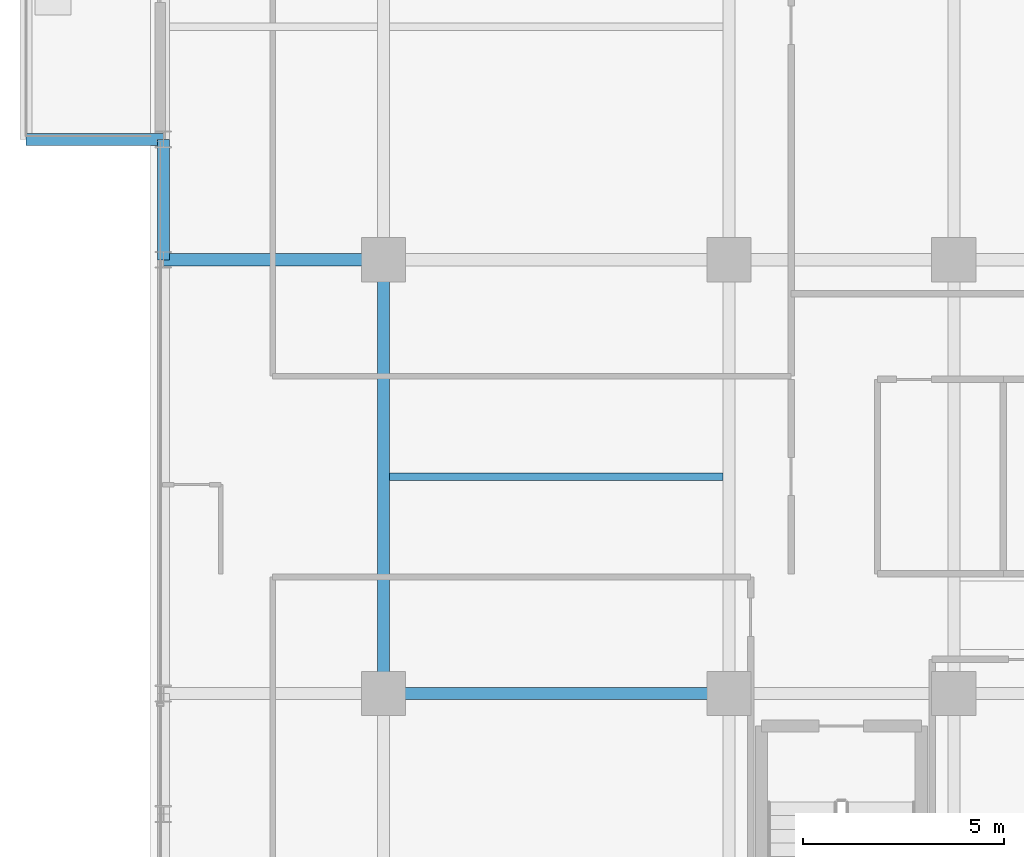
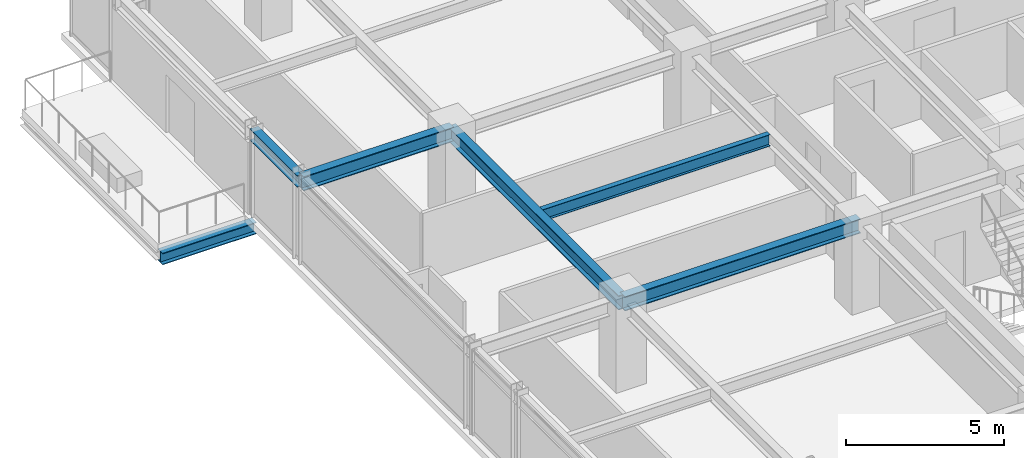
# One storey, part 7 of 32: 6 beams.
"""IFC4 building model written with IfcOpenShell, lengths in metres."""

from ifc_helpers import new_model, si_unit, direction, frame, origin, origin_2d, place, context, subcontext, project, spatial, i_section, extrude, source, transform, mapped, material, material_profile, profile_set, type_object, element, save


model = new_model("IFC4")

# Units and contexts
model_context = context("Model", 3, precision=1e-05, world=origin(), true_north=direction((0.0, 1.0)))
body_context = subcontext(model_context, "Body", "Model", "MODEL_VIEW")
ifc_project = project(units=[si_unit("LENGTHUNIT", "METRE"), si_unit("AREAUNIT", "SQUARE_METRE"), si_unit("VOLUMEUNIT", "CUBIC_METRE"), si_unit("PLANEANGLEUNIT", "RADIAN"), si_unit("MASSUNIT", "GRAM", prefix="KILO")], contexts=[model_context])

# Site, building, storey
site_placement = place(None, origin())
site = spatial("IfcSite", under=ifc_project, at=site_placement, CompositionType="ELEMENT")
building_placement = place(site_placement, origin())
building = spatial("IfcBuilding", under=site, at=building_placement, Name="Nahalor Promenade Grand Hotel", CompositionType="ELEMENT")
storey_placement = place(building_placement, frame((0.0, 0.0, 196.449951171875)))
storey = spatial("IfcBuildingStorey", under=building, at=storey_placement, Name="L50", CompositionType="ELEMENT", Elevation=196.449951171875)

# Beams
ifc_material = material(Name="Steel S355JR", Category="steel")
ifc_material_profile_1 = material_profile(ifc_material, i_section(OverallWidth=0.3, OverallDepth=0.45, WebThickness=0.014, FlangeThickness=0.026, at=origin_2d()), Name="HEB 450")
ifc_profile_set_1 = profile_set([ifc_material_profile_1], Name="Steel S355JR")
beam_type_1 = type_object("IfcBeamType", Name="Beam-Outrigger-HEB450", PredefinedType="BEAM", material=ifc_profile_set_1)
shared_shape_1 = source(origin(), body_context, "Body", "SweptSolid", [
    extrude(i_section(OverallWidth=0.3, OverallDepth=0.45, WebThickness=0.014, FlangeThickness=0.026, at=origin_2d()), origin(), (0.0, 0.0, 1.0), 3.419921875),
])
beam_1_placement = place(storey_placement, frame((-25.89990234375, 8.39990234375, -0.5048828125), z_axis=(1.0, 0.0, 0.0), x_axis=(0.0, 1.0, 0.0)))
element("IfcBeam", 1, at=beam_1_placement, inside=storey, type_object=beam_type_1, Name="BM-L50-BC-02-1", PredefinedType="BEAM", context=body_context, shape_type="MappedRepresentation", body=[
    mapped(shared_shape_1, transform((0.0, 0.0, 0.0), scale=1.0)),
])
ifc_material_profile_2 = material_profile(ifc_material, i_section(OverallWidth=0.3, OverallDepth=0.55, WebThickness=0.015, FlangeThickness=0.029, at=origin_2d()), Name="HEB 550")
ifc_profile_set_2 = profile_set([ifc_material_profile_2], Name="Steel S355JR")
beam_type_2 = type_object("IfcBeamType", Name="Beam-Girder-HEB550", PredefinedType="BEAM", material=ifc_profile_set_2)
shared_shape_2 = source(origin(), body_context, "Body", "SweptSolid", [
    extrude(i_section(OverallWidth=0.3, OverallDepth=0.55, WebThickness=0.015, FlangeThickness=0.029, at=origin_2d()), origin(), (0.0, 0.0, 1.0), 8.60009765625),
])
beam_2_placement = place(storey_placement, frame((-17.0, -5.39990234375, 3.01513671875), z_axis=(1.0, 0.0, 0.0), x_axis=(0.0, 1.0, 0.0)))
element("IfcBeam", 2, at=beam_2_placement, inside=storey, type_object=beam_type_2, Name="BM-L50-GX-1-1", PredefinedType="BEAM", context=body_context, shape_type="MappedRepresentation", body=[
    mapped(shared_shape_2, transform((0.0, 0.0, 0.0), scale=1.0)),
])
shared_shape_3 = source(origin(), body_context, "Body", "SweptSolid", [
    extrude(i_section(OverallWidth=0.3, OverallDepth=0.55, WebThickness=0.015, FlangeThickness=0.029, at=origin_2d()), origin(), (0.0, 0.0, 1.0), 10.7998046875),
])
beam_3_placement = place(storey_placement, frame((-17.0, -5.39990234375, 3.01513671875), z_axis=(0.0, 1.0, 0.0), x_axis=(-1.0, 0.0, 0.0)))
element("IfcBeam", 3, at=beam_3_placement, inside=storey, type_object=beam_type_2, Name="BM-L50-GY-0-2", PredefinedType="BEAM", context=body_context, shape_type="MappedRepresentation", body=[
    mapped(shared_shape_3, transform((0.0, 0.0, 0.0), scale=1.0)),
])
ifc_material_profile_3 = material_profile(ifc_material, i_section(OverallWidth=0.19, OverallDepth=0.45, WebThickness=0.0094, FlangeThickness=0.0146, at=origin_2d()), Name="IPE 450")
ifc_profile_set_3 = profile_set([ifc_material_profile_3], Name="Steel S355JR")
beam_type_3 = type_object("IfcBeamType", Name="Beam-Joist-IPE450", PredefinedType="JOIST", material=ifc_profile_set_3)
shared_shape_4 = source(origin(), body_context, "Body", "SweptSolid", [
    extrude(i_section(OverallWidth=0.19, OverallDepth=0.45, WebThickness=0.0094, FlangeThickness=0.0146, at=origin_2d()), origin(), (0.0, 0.0, 1.0), 8.300048828125),
])
beam_4_placement = place(storey_placement, frame((-16.85009765625, 0.0, 3.06494140625), z_axis=(1.0, 0.0, 0.0), x_axis=(0.0, 1.0, 0.0)))
element("IfcBeam", 4, at=beam_4_placement, inside=storey, type_object=beam_type_3, Name="BM-L50-JSC-0", PredefinedType="JOIST", context=body_context, shape_type="MappedRepresentation", body=[
    mapped(shared_shape_4, transform((0.0, 0.0, 0.0), scale=1.0)),
])
shared_shape_5 = source(origin(), body_context, "Body", "SweptSolid", [
    extrude(i_section(OverallWidth=0.3, OverallDepth=0.55, WebThickness=0.015, FlangeThickness=0.029, at=origin_2d()), origin(), (0.0, 0.0, 1.0), 5.47998046875),
])
beam_5_placement = place(storey_placement, frame((-22.47998046875, 5.39990234375, 3.01513671875), z_axis=(1.0, 0.0, 0.0), x_axis=(0.0, 1.0, 0.0)))
element("IfcBeam", 5, at=beam_5_placement, inside=storey, type_object=beam_type_2, Name="BM-L50-GX-2-0", PredefinedType="BEAM", context=body_context, shape_type="MappedRepresentation", body=[
    mapped(shared_shape_5, transform((0.0, 0.0, 0.0), scale=1.0)),
])
ifc_material_profile_4 = material_profile(ifc_material, i_section(OverallWidth=0.3, OverallDepth=0.45, WebThickness=0.014, FlangeThickness=0.026, at=origin_2d()), Name="HEB 450")
ifc_profile_set_4 = profile_set([ifc_material_profile_4], Name="Steel S355JR")
beam_type_4 = type_object("IfcBeamType", Name="Beam-Spandrel-HEB450", PredefinedType="SPANDREL", material=ifc_profile_set_4)
shared_shape_6 = source(origin(), body_context, "Body", "SweptSolid", [
    extrude(i_section(OverallWidth=0.3, OverallDepth=0.45, WebThickness=0.014, FlangeThickness=0.026, at=origin_2d()), origin(), (0.0, 0.0, 1.0), 3.0),
])
beam_6_placement = place(storey_placement, frame((-22.47998046875, 5.39990234375, 3.06494140625), z_axis=(0.0, 1.0, 0.0), x_axis=(-1.0, 0.0, 0.0)))
element("IfcBeam", 6, at=beam_6_placement, inside=storey, type_object=beam_type_4, Name="BM-L50-SP-W-3", PredefinedType="SPANDREL", context=body_context, shape_type="MappedRepresentation", body=[
    mapped(shared_shape_6, transform((0.0, 0.0, 0.0), scale=1.0)),
])

save(model, "model.ifc")
